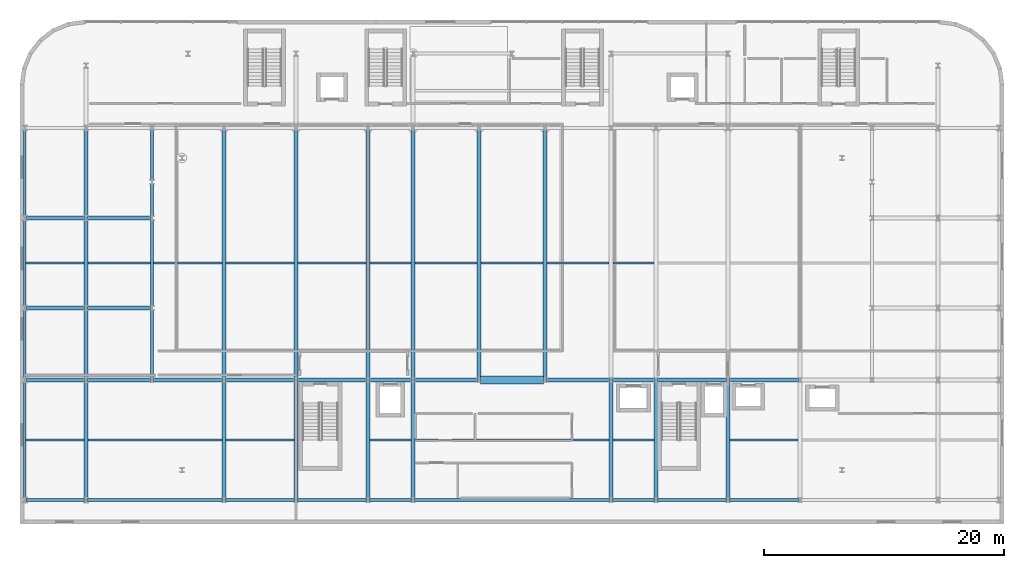
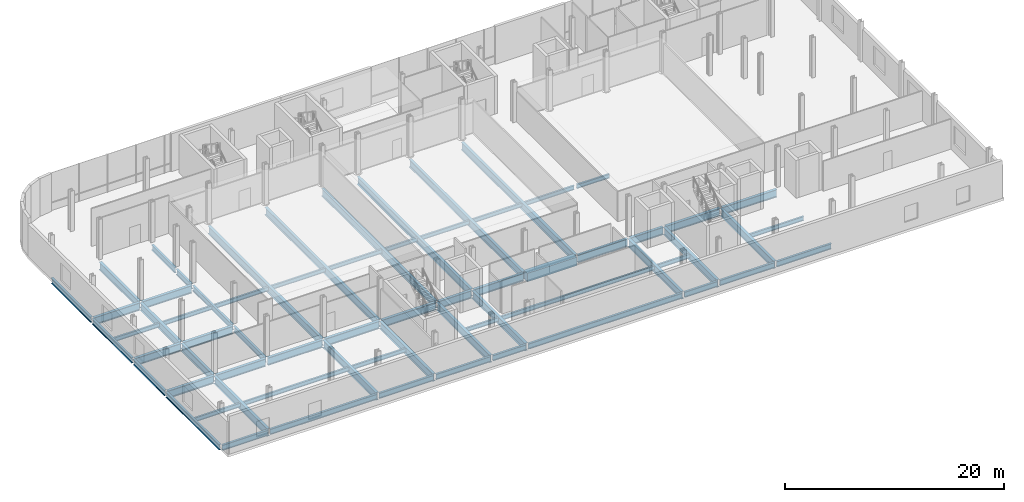
# One storey, part 3 of 25: 67 beams.
"""IFC4 building model written with IfcOpenShell, lengths in metres."""

from ifc_helpers import new_model, si_unit, direction, frame, origin, origin_2d, place, context, subcontext, project, spatial, rectangle, i_section, extrude, material, material_profile, profile_set, type_object, element, save


model = new_model("IFC4")

# Units and contexts
model_context = context("Model", 3, precision=1e-05, world=origin(), true_north=direction((0.0, 1.0)))
body_context = subcontext(model_context, "Body", "Model", "MODEL_VIEW")
ifc_project = project(units=[si_unit("LENGTHUNIT", "METRE"), si_unit("AREAUNIT", "SQUARE_METRE"), si_unit("VOLUMEUNIT", "CUBIC_METRE"), si_unit("PLANEANGLEUNIT", "RADIAN"), si_unit("MASSUNIT", "GRAM", prefix="KILO")], contexts=[model_context])

# Site, building, storey
site_placement = place(None, origin())
site = spatial("IfcSite", under=ifc_project, at=site_placement, CompositionType="ELEMENT")
building_placement = place(site_placement, origin())
building = spatial("IfcBuilding", under=site, at=building_placement, Name="Brevholm Reach", CompositionType="ELEMENT")
storey_placement = place(building_placement, frame((0.0, 0.0, 13.5)))
storey = spatial("IfcBuildingStorey", under=building, at=storey_placement, Name="L03", CompositionType="ELEMENT", Elevation=13.5)

# Beams
ifc_material_1 = material(Name="Structural Steel S355J2", Category="steel")
ifc_material_profile_1 = material_profile(ifc_material_1, i_section(OverallWidth=0.1904296875, OverallDepth=0.45703125, WebThickness=0.009033203125, FlangeThickness=0.014404296875, FilletRadius=0.01025390625, at=origin_2d()), Name="UKB 457x191x74")
ifc_profile_set_1 = profile_set([ifc_material_profile_1], Name="Structural Steel S355J2")
beam_type_1 = type_object("IfcBeamType", Name="BM-B457", PredefinedType="BEAM", material=ifc_profile_set_1)
beam_1_placement = place(storey_placement, frame((-10.485595703125, 5.0, -0.508544921875), z_axis=(1.0, 0.0, 0.0), x_axis=(0.0, 1.0, 0.0)))
element("IfcBeam", 1, at=beam_1_placement, inside=storey, type_object=beam_type_1, Name="L03 Composite Secondary Floor Beam", PredefinedType="BEAM", context=body_context, shape_type="SweptSolid", body=[
    extrude(i_section(OverallWidth=0.1904296875, OverallDepth=0.45703125, WebThickness=0.009033203125, FlangeThickness=0.014404296875, FilletRadius=0.01025390625, at=origin_2d()), origin(), (0.0, 0.0, 1.0), 4.838623046875),
])
beam_2_placement = place(storey_placement, frame((-5.35302734375, 5.0, -0.508544921875), z_axis=(1.0, 0.0, 0.0), x_axis=(0.0, 1.0, 0.0)))
element("IfcBeam", 2, at=beam_2_placement, inside=storey, type_object=beam_type_1, Name="L03 Composite Secondary Floor Beam", PredefinedType="BEAM", context=body_context, shape_type="SweptSolid", body=[
    extrude(i_section(OverallWidth=0.1904296875, OverallDepth=0.45703125, WebThickness=0.009033203125, FlangeThickness=0.014404296875, FilletRadius=0.01025390625, at=origin_2d()), origin(), (0.0, 0.0, 1.0), 11.2060546875),
])
beam_3_placement = place(storey_placement, frame((6.14697265625, 5.0, -0.508544921875), z_axis=(1.0, 0.0, 0.0), x_axis=(0.0, 1.0, 0.0)))
element("IfcBeam", 3, at=beam_3_placement, inside=storey, type_object=beam_type_1, Name="L03 Composite Secondary Floor Beam", PredefinedType="BEAM", context=body_context, shape_type="SweptSolid", body=[
    extrude(i_section(OverallWidth=0.1904296875, OverallDepth=0.45703125, WebThickness=0.009033203125, FlangeThickness=0.014404296875, FilletRadius=0.01025390625, at=origin_2d()), origin(), (0.0, 0.0, 1.0), 5.7060546875),
])
beam_4_placement = place(storey_placement, frame((18.14697265625, 5.0, -0.508544921875), z_axis=(1.0, 0.0, 0.0), x_axis=(0.0, 1.0, 0.0)))
element("IfcBeam", 4, at=beam_4_placement, inside=storey, type_object=beam_type_1, Name="L03 Composite Secondary Floor Beam", PredefinedType="BEAM", context=body_context, shape_type="SweptSolid", body=[
    extrude(i_section(OverallWidth=0.1904296875, OverallDepth=0.45703125, WebThickness=0.009033203125, FlangeThickness=0.014404296875, FilletRadius=0.01025390625, at=origin_2d()), origin(), (0.0, 0.0, 1.0), 3.4560546875),
])
beam_5_placement = place(storey_placement, frame((21.89697265625, 5.0, -0.508544921875), z_axis=(1.0, 0.0, 0.0), x_axis=(0.0, 1.0, 0.0)))
element("IfcBeam", 5, at=beam_5_placement, inside=storey, type_object=beam_type_1, Name="L03 Composite Secondary Floor Beam", PredefinedType="BEAM", context=body_context, shape_type="SweptSolid", body=[
    extrude(i_section(OverallWidth=0.1904296875, OverallDepth=0.45703125, WebThickness=0.009033203125, FlangeThickness=0.014404296875, FilletRadius=0.01025390625, at=origin_2d()), origin(), (0.0, 0.0, 1.0), 16.2060546875),
])
beam_6_placement = place(storey_placement, frame((38.39697265625, 5.0, -0.508544921875), z_axis=(1.0, 0.0, 0.0), x_axis=(0.0, 1.0, 0.0)))
element("IfcBeam", 6, at=beam_6_placement, inside=storey, type_object=beam_type_1, Name="L03 Composite Secondary Floor Beam", PredefinedType="BEAM", context=body_context, shape_type="SweptSolid", body=[
    extrude(i_section(OverallWidth=0.1904296875, OverallDepth=0.45703125, WebThickness=0.009033203125, FlangeThickness=0.014404296875, FilletRadius=0.01025390625, at=origin_2d()), origin(), (0.0, 0.0, 1.0), 3.4560546875),
])
beam_7_placement = place(storey_placement, frame((48.14697265625, 5.0, -0.508544921875), z_axis=(1.0, 0.0, 0.0), x_axis=(0.0, 1.0, 0.0)))
element("IfcBeam", 7, at=beam_7_placement, inside=storey, type_object=beam_type_1, Name="L03 Composite Secondary Floor Beam", PredefinedType="BEAM", context=body_context, shape_type="SweptSolid", body=[
    extrude(i_section(OverallWidth=0.1904296875, OverallDepth=0.45703125, WebThickness=0.009033203125, FlangeThickness=0.014404296875, FilletRadius=0.01025390625, at=origin_2d()), origin(), (0.0, 0.0, 1.0), 5.7060546875),
])
beam_8_placement = place(storey_placement, frame((-10.485595703125, 19.75, -0.508544921875), z_axis=(1.0, 0.0, 0.0), x_axis=(0.0, 1.0, 0.0)))
element("IfcBeam", 8, at=beam_8_placement, inside=storey, type_object=beam_type_1, Name="L03 Composite Secondary Floor Beam", PredefinedType="BEAM", context=body_context, shape_type="SweptSolid", body=[
    extrude(i_section(OverallWidth=0.1904296875, OverallDepth=0.45703125, WebThickness=0.009033203125, FlangeThickness=0.014404296875, FilletRadius=0.01025390625, at=origin_2d()), origin(), (0.0, 0.0, 1.0), 4.838623046875),
])
beam_9_placement = place(storey_placement, frame((-5.35302734375, 19.75, -0.508544921875), z_axis=(1.0, 0.0, 0.0), x_axis=(0.0, 1.0, 0.0)))
element("IfcBeam", 9, at=beam_9_placement, inside=storey, type_object=beam_type_1, Name="L03 Composite Secondary Floor Beam", PredefinedType="BEAM", context=body_context, shape_type="SweptSolid", body=[
    extrude(i_section(OverallWidth=0.1904296875, OverallDepth=0.45703125, WebThickness=0.009033203125, FlangeThickness=0.014404296875, FilletRadius=0.01025390625, at=origin_2d()), origin(), (0.0, 0.0, 1.0), 5.238525390625),
])
beam_10_placement = place(storey_placement, frame((0.114501953125, 19.75, -0.508544921875), z_axis=(1.0, 0.0, 0.0), x_axis=(0.0, 1.0, 0.0)))
element("IfcBeam", 10, at=beam_10_placement, inside=storey, type_object=beam_type_1, Name="L03 Composite Secondary Floor Beam", PredefinedType="BEAM", context=body_context, shape_type="SweptSolid", body=[
    extrude(i_section(OverallWidth=0.1904296875, OverallDepth=0.45703125, WebThickness=0.009033203125, FlangeThickness=0.014404296875, FilletRadius=0.01025390625, at=origin_2d()), origin(), (0.0, 0.0, 1.0), 5.738525390625),
])
for number, where, z_axis, x_axis, name in (
    (11, (6.14697265625, 19.75, -0.508544921875), (1.0, 0.0, 0.0), (0.0, 1.0, 0.0), "L03 Composite Secondary Floor Beam"),
    (12, (12.14697265625, 19.75, -0.508544921875), (1.0, 0.0, 0.0), (0.0, 1.0, 0.0), "L03 Composite Secondary Floor Beam"),
):
    element("IfcBeam", number, at=place(storey_placement, frame(where, z_axis=z_axis, x_axis=x_axis)), inside=storey, type_object=beam_type_1, Name=name, PredefinedType="BEAM", context=body_context, shape_type="SweptSolid", body=[
        extrude(i_section(OverallWidth=0.1904296875, OverallDepth=0.45703125, WebThickness=0.009033203125, FlangeThickness=0.014404296875, FilletRadius=0.01025390625, at=origin_2d()), origin(), (0.0, 0.0, 1.0), 5.7060546875),
    ])
beam_11_placement = place(storey_placement, frame((18.14697265625, 19.75, -0.508544921875), z_axis=(1.0, 0.0, 0.0), x_axis=(0.0, 1.0, 0.0)))
element("IfcBeam", 13, at=beam_11_placement, inside=storey, type_object=beam_type_1, Name="L03 Composite Secondary Floor Beam", PredefinedType="BEAM", context=body_context, shape_type="SweptSolid", body=[
    extrude(i_section(OverallWidth=0.1904296875, OverallDepth=0.45703125, WebThickness=0.009033203125, FlangeThickness=0.014404296875, FilletRadius=0.01025390625, at=origin_2d()), origin(), (0.0, 0.0, 1.0), 3.4560546875),
])
for number, where, z_axis, x_axis, name in (
    (14, (21.89697265625, 19.75, -0.508544921875), (1.0, 0.0, 0.0), (0.0, 1.0, 0.0), "L03 Composite Secondary Floor Beam"),
    (15, (27.39697265625, 19.75, -0.508544921875), (1.0, 0.0, 0.0), (0.0, 1.0, 0.0), "L03 Composite Secondary Floor Beam"),
    (16, (32.89697265625, 19.75, -0.508544921875), (1.0, 0.0, 0.0), (0.0, 1.0, 0.0), "L03 Composite Secondary Floor Beam"),
):
    element("IfcBeam", number, at=place(storey_placement, frame(where, z_axis=z_axis, x_axis=x_axis)), inside=storey, type_object=beam_type_1, Name=name, PredefinedType="BEAM", context=body_context, shape_type="SweptSolid", body=[
        extrude(i_section(OverallWidth=0.1904296875, OverallDepth=0.45703125, WebThickness=0.009033203125, FlangeThickness=0.014404296875, FilletRadius=0.01025390625, at=origin_2d()), origin(), (0.0, 0.0, 1.0), 5.2060546875),
    ])
beam_12_placement = place(storey_placement, frame((38.39697265625, 19.75, -0.508544921875), z_axis=(1.0, 0.0, 0.0), x_axis=(0.0, 1.0, 0.0)))
element("IfcBeam", 17, at=beam_12_placement, inside=storey, type_object=beam_type_1, Name="L03 Composite Secondary Floor Beam", PredefinedType="BEAM", context=body_context, shape_type="SweptSolid", body=[
    extrude(i_section(OverallWidth=0.1904296875, OverallDepth=0.45703125, WebThickness=0.009033203125, FlangeThickness=0.014404296875, FilletRadius=0.01025390625, at=origin_2d()), origin(), (0.0, 0.0, 1.0), 3.4560546875),
])
ifc_material_2 = material(Name="Concrete C60/75", Category="concrete")
ifc_material_profile_2 = material_profile(ifc_material_2, rectangle(XDim=0.64990234375, YDim=0.949951171875, at=origin_2d()), Name="RC 650x950")
ifc_profile_set_2 = profile_set([ifc_material_profile_2], Name="Concrete C60/75")
beam_type_2 = type_object("IfcBeamType", Name="BM-CB650", PredefinedType="LINTEL", material=ifc_profile_set_2)
beam_13_placement = place(storey_placement, frame((27.3701171875, 10.0, -0.7548828125), z_axis=(1.0, 0.0, 0.0), x_axis=(0.0, 1.0, 0.0)))
element("IfcBeam", 18, at=beam_13_placement, inside=storey, type_object=beam_type_2, Name="L03 CB-01 Framing Beam", PredefinedType="LINTEL", context=body_context, shape_type="SweptSolid", body=[
    extrude(rectangle(XDim=0.64990234375, YDim=0.949951171875, at=origin_2d()), origin(), (0.0, 0.0, 1.0), 5.259765625),
])
ifc_material_3 = material(Name="Structural Steel S355J2", Category="steel")
ifc_material_profile_3 = material_profile(ifc_material_3, i_section(OverallWidth=0.22900390625, OverallDepth=0.6123046875, WebThickness=0.011962890625, FlangeThickness=0.01953125, FilletRadius=0.0126953125, at=origin_2d()), Name="UKB 610x229x125")
ifc_profile_set_3 = profile_set([ifc_material_profile_3], Name="Structural Steel S355J2")
beam_type_3 = type_object("IfcBeamType", Name="BM-SP610", PredefinedType="SPANDREL", material=ifc_profile_set_3)
beam_14_placement = place(storey_placement, frame((-10.47998046875, 0.0, -0.586181640625), z_axis=(1.0, 0.0, 0.0), x_axis=(0.0, 1.0, 0.0)))
element("IfcBeam", 19, at=beam_14_placement, inside=storey, type_object=beam_type_3, Name="L03 SP-01 Framing Beam", PredefinedType="SPANDREL", context=body_context, shape_type="SweptSolid", body=[
    extrude(i_section(OverallWidth=0.22900390625, OverallDepth=0.6123046875, WebThickness=0.011962890625, FlangeThickness=0.01953125, FilletRadius=0.0126953125, at=origin_2d()), origin(), (0.0, 0.0, 1.0), 4.85986328125),
])
beam_15_placement = place(storey_placement, frame((-5.3798828125, 0.0, -0.586181640625), z_axis=(1.0, 0.0, 0.0), x_axis=(0.0, 1.0, 0.0)))
element("IfcBeam", 20, at=beam_15_placement, inside=storey, type_object=beam_type_3, Name="L03 SP-01 Framing Beam", PredefinedType="SPANDREL", context=body_context, shape_type="SweptSolid", body=[
    extrude(i_section(OverallWidth=0.22900390625, OverallDepth=0.6123046875, WebThickness=0.011962890625, FlangeThickness=0.01953125, FilletRadius=0.0126953125, at=origin_2d()), origin(), (0.0, 0.0, 1.0), 11.259765625),
])
for number, where, z_axis, x_axis, name in (
    (21, (6.1201171875, 0.0, -0.586181640625), (1.0, 0.0, 0.0), (0.0, 1.0, 0.0), "L03 SP-01 Framing Beam"),
    (22, (12.1201171875, 0.0, -0.586181640625), (1.0, 0.0, 0.0), (0.0, 1.0, 0.0), "L03 SP-01 Framing Beam"),
):
    element("IfcBeam", number, at=place(storey_placement, frame(where, z_axis=z_axis, x_axis=x_axis)), inside=storey, type_object=beam_type_3, Name=name, PredefinedType="SPANDREL", context=body_context, shape_type="SweptSolid", body=[
        extrude(i_section(OverallWidth=0.22900390625, OverallDepth=0.6123046875, WebThickness=0.011962890625, FlangeThickness=0.01953125, FilletRadius=0.0126953125, at=origin_2d()), origin(), (0.0, 0.0, 1.0), 5.759765625),
    ])
beam_16_placement = place(storey_placement, frame((18.1201171875, 0.0, -0.586181640625), z_axis=(1.0, 0.0, 0.0), x_axis=(0.0, 1.0, 0.0)))
element("IfcBeam", 23, at=beam_16_placement, inside=storey, type_object=beam_type_3, Name="L03 SP-01 Framing Beam", PredefinedType="SPANDREL", context=body_context, shape_type="SweptSolid", body=[
    extrude(i_section(OverallWidth=0.22900390625, OverallDepth=0.6123046875, WebThickness=0.011962890625, FlangeThickness=0.01953125, FilletRadius=0.0126953125, at=origin_2d()), origin(), (0.0, 0.0, 1.0), 3.509765625),
])
beam_17_placement = place(storey_placement, frame((21.8701171875, 0.0, -0.586181640625), z_axis=(1.0, 0.0, 0.0), x_axis=(0.0, 1.0, 0.0)))
element("IfcBeam", 24, at=beam_17_placement, inside=storey, type_object=beam_type_3, Name="L03 SP-01 Framing Beam", PredefinedType="SPANDREL", context=body_context, shape_type="SweptSolid", body=[
    extrude(i_section(OverallWidth=0.22900390625, OverallDepth=0.6123046875, WebThickness=0.011962890625, FlangeThickness=0.01953125, FilletRadius=0.0126953125, at=origin_2d()), origin(), (0.0, 0.0, 1.0), 16.259765625),
])
beam_18_placement = place(storey_placement, frame((38.3701171875, 0.0, -0.586181640625), z_axis=(1.0, 0.0, 0.0), x_axis=(0.0, 1.0, 0.0)))
element("IfcBeam", 25, at=beam_18_placement, inside=storey, type_object=beam_type_3, Name="L03 SP-01 Framing Beam", PredefinedType="SPANDREL", context=body_context, shape_type="SweptSolid", body=[
    extrude(i_section(OverallWidth=0.22900390625, OverallDepth=0.6123046875, WebThickness=0.011962890625, FlangeThickness=0.01953125, FilletRadius=0.0126953125, at=origin_2d()), origin(), (0.0, 0.0, 1.0), 3.509765625),
])
for number, where, z_axis, x_axis, name in (
    (26, (42.1201171875, 0.0, -0.586181640625), (1.0, 0.0, 0.0), (0.0, 1.0, 0.0), "L03 SP-01 Framing Beam"),
    (27, (48.1201171875, 0.0, -0.586181640625), (1.0, 0.0, 0.0), (0.0, 1.0, 0.0), "L03 SP-01 Framing Beam"),
):
    element("IfcBeam", number, at=place(storey_placement, frame(where, z_axis=z_axis, x_axis=x_axis)), inside=storey, type_object=beam_type_3, Name=name, PredefinedType="SPANDREL", context=body_context, shape_type="SweptSolid", body=[
        extrude(i_section(OverallWidth=0.22900390625, OverallDepth=0.6123046875, WebThickness=0.011962890625, FlangeThickness=0.01953125, FilletRadius=0.0126953125, at=origin_2d()), origin(), (0.0, 0.0, 1.0), 5.759765625),
    ])
beam_19_placement = place(storey_placement, frame((-10.60009765625, 0.1201171875, -0.586181640625), z_axis=(0.0, 1.0, 0.0), x_axis=(-1.0, 0.0, 0.0)))
element("IfcBeam", 28, at=beam_19_placement, inside=storey, type_object=beam_type_3, Name="L03 SP-01 Framing Beam", PredefinedType="SPANDREL", context=body_context, shape_type="SweptSolid", body=[
    extrude(i_section(OverallWidth=0.22900390625, OverallDepth=0.6123046875, WebThickness=0.011962890625, FlangeThickness=0.01953125, FilletRadius=0.0126953125, at=origin_2d()), origin(), (0.0, 0.0, 1.0), 9.759765625),
])
beam_20_placement = place(storey_placement, frame((-10.60009765625, 10.1201171875, -0.586181640625), z_axis=(0.0, 1.0, 0.0), x_axis=(-1.0, 0.0, 0.0)))
element("IfcBeam", 29, at=beam_20_placement, inside=storey, type_object=beam_type_3, Name="L03 SP-01 Framing Beam", PredefinedType="SPANDREL", context=body_context, shape_type="SweptSolid", body=[
    extrude(i_section(OverallWidth=0.22900390625, OverallDepth=0.6123046875, WebThickness=0.011962890625, FlangeThickness=0.01953125, FilletRadius=0.0126953125, at=origin_2d()), origin(), (0.0, 0.0, 1.0), 5.759765625),
])
for number, where, z_axis, x_axis, name in (
    (30, (-10.60009765625, 16.1201171875, -0.586181640625), (0.0, 1.0, 0.0), (-1.0, 0.0, 0.0), "L03 SP-01 Framing Beam"),
    (31, (-10.60009765625, 23.6201171875, -0.586181640625), (0.0, 1.0, 0.0), (-1.0, 0.0, 0.0), "L03 SP-01 Framing Beam"),
):
    element("IfcBeam", number, at=place(storey_placement, frame(where, z_axis=z_axis, x_axis=x_axis)), inside=storey, type_object=beam_type_3, Name=name, PredefinedType="SPANDREL", context=body_context, shape_type="SweptSolid", body=[
        extrude(i_section(OverallWidth=0.22900390625, OverallDepth=0.6123046875, WebThickness=0.011962890625, FlangeThickness=0.01953125, FilletRadius=0.0126953125, at=origin_2d()), origin(), (0.0, 0.0, 1.0), 7.259765625),
    ])
beam_21_placement = place(storey_placement, frame((0.0, 10.1201171875, -0.586181640625), z_axis=(0.0, 1.0, 0.0), x_axis=(-1.0, 0.0, 0.0)))
element("IfcBeam", 32, at=beam_21_placement, inside=storey, type_object=beam_type_3, Name="L03 SP-01 Framing Beam", PredefinedType="SPANDREL", context=body_context, shape_type="SweptSolid", body=[
    extrude(i_section(OverallWidth=0.22900390625, OverallDepth=0.6123046875, WebThickness=0.011962890625, FlangeThickness=0.01953125, FilletRadius=0.0126953125, at=origin_2d()), origin(), (0.0, 0.0, 1.0), 5.759765625),
])
beam_22_placement = place(storey_placement, frame((0.0, 16.1201171875, -0.586181640625), z_axis=(0.0, 1.0, 0.0), x_axis=(-1.0, 0.0, 0.0)))
element("IfcBeam", 33, at=beam_22_placement, inside=storey, type_object=beam_type_3, Name="L03 SP-01 Framing Beam", PredefinedType="SPANDREL", context=body_context, shape_type="SweptSolid", body=[
    extrude(i_section(OverallWidth=0.22900390625, OverallDepth=0.6123046875, WebThickness=0.011962890625, FlangeThickness=0.01953125, FilletRadius=0.0126953125, at=origin_2d()), origin(), (0.0, 0.0, 1.0), 7.259765625),
])
beam_23_placement = place(storey_placement, frame((0.0, 23.6201171875, -0.586181640625), z_axis=(0.0, 1.0, 0.0), x_axis=(-1.0, 0.0, 0.0)))
element("IfcBeam", 34, at=beam_23_placement, inside=storey, type_object=beam_type_3, Name="L03 SP-01 Framing Beam", PredefinedType="SPANDREL", context=body_context, shape_type="SweptSolid", body=[
    extrude(i_section(OverallWidth=0.22900390625, OverallDepth=0.6123046875, WebThickness=0.011962890625, FlangeThickness=0.01953125, FilletRadius=0.0126953125, at=origin_2d()), origin(), (0.0, 0.0, 1.0), 2.759765625),
])
beam_24_placement = place(storey_placement, frame((0.0, 26.6201171875, -0.586181640625), z_axis=(0.0, 1.0, 0.0), x_axis=(-1.0, 0.0, 0.0)))
element("IfcBeam", 35, at=beam_24_placement, inside=storey, type_object=beam_type_3, Name="L03 SP-01 Framing Beam", PredefinedType="SPANDREL", context=body_context, shape_type="SweptSolid", body=[
    extrude(i_section(OverallWidth=0.22900390625, OverallDepth=0.6123046875, WebThickness=0.011962890625, FlangeThickness=0.01953125, FilletRadius=0.0126953125, at=origin_2d()), origin(), (0.0, 0.0, 1.0), 4.259765625),
])
ifc_material_4 = material(Name="Structural Steel S355J2", Category="steel")
ifc_material_profile_4 = material_profile(ifc_material_4, i_section(OverallWidth=0.293701171875, OverallDepth=0.850830078125, WebThickness=0.01611328125, FlangeThickness=0.02685546875, FilletRadius=0.017822265625, at=origin_2d()), Name="UKB 838x292x226")
ifc_profile_set_4 = profile_set([ifc_material_profile_4], Name="Structural Steel S355J2")
beam_type_4 = type_object("IfcBeamType", Name="BM-UKB838", PredefinedType="USERDEFINED", material=ifc_profile_set_4)
beam_25_placement = place(storey_placement, frame((-10.47998046875, 10.0, -0.70556640625), z_axis=(1.0, 0.0, 0.0), x_axis=(0.0, 1.0, 0.0)))
element("IfcBeam", 36, at=beam_25_placement, inside=storey, type_object=beam_type_4, Name="L03 G-03 Framing Beam", ObjectType="GIRDER", PredefinedType="USERDEFINED", context=body_context, shape_type="SweptSolid", body=[
    extrude(i_section(OverallWidth=0.293701171875, OverallDepth=0.850830078125, WebThickness=0.01611328125, FlangeThickness=0.02685546875, FilletRadius=0.017822265625, at=origin_2d()), origin(), (0.0, 0.0, 1.0), 4.85986328125),
])
beam_26_placement = place(storey_placement, frame((-5.3798828125, 10.0, -0.70556640625), z_axis=(1.0, 0.0, 0.0), x_axis=(0.0, 1.0, 0.0)))
element("IfcBeam", 37, at=beam_26_placement, inside=storey, type_object=beam_type_4, Name="L03 G-03 Framing Beam", ObjectType="GIRDER", PredefinedType="USERDEFINED", context=body_context, shape_type="SweptSolid", body=[
    extrude(i_section(OverallWidth=0.293701171875, OverallDepth=0.850830078125, WebThickness=0.01611328125, FlangeThickness=0.02685546875, FilletRadius=0.017822265625, at=origin_2d()), origin(), (0.0, 0.0, 1.0), 5.259765625),
])
for number, where, z_axis, x_axis, name in (
    (38, (0.1201171875, 10.0, -0.70556640625), (1.0, 0.0, 0.0), (0.0, 1.0, 0.0), "L03 G-03 Framing Beam"),
    (39, (6.1201171875, 10.0, -0.70556640625), (1.0, 0.0, 0.0), (0.0, 1.0, 0.0), "L03 G-03 Framing Beam"),
    (40, (12.1201171875, 10.0, -0.70556640625), (1.0, 0.0, 0.0), (0.0, 1.0, 0.0), "L03 G-03 Framing Beam"),
):
    element("IfcBeam", number, at=place(storey_placement, frame(where, z_axis=z_axis, x_axis=x_axis)), inside=storey, type_object=beam_type_4, Name=name, ObjectType="GIRDER", PredefinedType="USERDEFINED", context=body_context, shape_type="SweptSolid", body=[
        extrude(i_section(OverallWidth=0.293701171875, OverallDepth=0.850830078125, WebThickness=0.01611328125, FlangeThickness=0.02685546875, FilletRadius=0.017822265625, at=origin_2d()), origin(), (0.0, 0.0, 1.0), 5.759765625),
    ])
beam_27_placement = place(storey_placement, frame((18.1201171875, 10.0, -0.70556640625), z_axis=(1.0, 0.0, 0.0), x_axis=(0.0, 1.0, 0.0)))
element("IfcBeam", 41, at=beam_27_placement, inside=storey, type_object=beam_type_4, Name="L03 G-03 Framing Beam", ObjectType="GIRDER", PredefinedType="USERDEFINED", context=body_context, shape_type="SweptSolid", body=[
    extrude(i_section(OverallWidth=0.293701171875, OverallDepth=0.850830078125, WebThickness=0.01611328125, FlangeThickness=0.02685546875, FilletRadius=0.017822265625, at=origin_2d()), origin(), (0.0, 0.0, 1.0), 3.509765625),
])
for number, where, z_axis, x_axis, name in (
    (42, (21.8701171875, 10.0, -0.70556640625), (1.0, 0.0, 0.0), (0.0, 1.0, 0.0), "L03 G-03 Framing Beam"),
    (43, (32.8701171875, 10.0, -0.70556640625), (1.0, 0.0, 0.0), (0.0, 1.0, 0.0), "L03 G-03 Framing Beam"),
):
    element("IfcBeam", number, at=place(storey_placement, frame(where, z_axis=z_axis, x_axis=x_axis)), inside=storey, type_object=beam_type_4, Name=name, ObjectType="GIRDER", PredefinedType="USERDEFINED", context=body_context, shape_type="SweptSolid", body=[
        extrude(i_section(OverallWidth=0.293701171875, OverallDepth=0.850830078125, WebThickness=0.01611328125, FlangeThickness=0.02685546875, FilletRadius=0.017822265625, at=origin_2d()), origin(), (0.0, 0.0, 1.0), 5.259765625),
    ])
beam_28_placement = place(storey_placement, frame((38.3701171875, 10.0, -0.70556640625), z_axis=(1.0, 0.0, 0.0), x_axis=(0.0, 1.0, 0.0)))
element("IfcBeam", 44, at=beam_28_placement, inside=storey, type_object=beam_type_4, Name="L03 G-03 Framing Beam", ObjectType="GIRDER", PredefinedType="USERDEFINED", context=body_context, shape_type="SweptSolid", body=[
    extrude(i_section(OverallWidth=0.293701171875, OverallDepth=0.850830078125, WebThickness=0.01611328125, FlangeThickness=0.02685546875, FilletRadius=0.017822265625, at=origin_2d()), origin(), (0.0, 0.0, 1.0), 3.509765625),
])
for number, where, z_axis, x_axis, name in (
    (45, (42.1201171875, 10.0, -0.70556640625), (1.0, 0.0, 0.0), (0.0, 1.0, 0.0), "L03 G-03 Framing Beam"),
    (46, (48.1201171875, 10.0, -0.70556640625), (1.0, 0.0, 0.0), (0.0, 1.0, 0.0), "L03 G-03 Framing Beam"),
):
    element("IfcBeam", number, at=place(storey_placement, frame(where, z_axis=z_axis, x_axis=x_axis)), inside=storey, type_object=beam_type_4, Name=name, ObjectType="GIRDER", PredefinedType="USERDEFINED", context=body_context, shape_type="SweptSolid", body=[
        extrude(i_section(OverallWidth=0.293701171875, OverallDepth=0.850830078125, WebThickness=0.01611328125, FlangeThickness=0.02685546875, FilletRadius=0.017822265625, at=origin_2d()), origin(), (0.0, 0.0, 1.0), 5.759765625),
    ])
beam_29_placement = place(storey_placement, frame((-10.47998046875, 16.0, -0.70556640625), z_axis=(1.0, 0.0, 0.0), x_axis=(0.0, 1.0, 0.0)))
element("IfcBeam", 47, at=beam_29_placement, inside=storey, type_object=beam_type_4, Name="L03 G-03 Framing Beam", ObjectType="GIRDER", PredefinedType="USERDEFINED", context=body_context, shape_type="SweptSolid", body=[
    extrude(i_section(OverallWidth=0.293701171875, OverallDepth=0.850830078125, WebThickness=0.01611328125, FlangeThickness=0.02685546875, FilletRadius=0.017822265625, at=origin_2d()), origin(), (0.0, 0.0, 1.0), 4.85986328125),
])
beam_30_placement = place(storey_placement, frame((-5.3798828125, 16.0, -0.70556640625), z_axis=(1.0, 0.0, 0.0), x_axis=(0.0, 1.0, 0.0)))
element("IfcBeam", 48, at=beam_30_placement, inside=storey, type_object=beam_type_4, Name="L03 G-03 Framing Beam", ObjectType="GIRDER", PredefinedType="USERDEFINED", context=body_context, shape_type="SweptSolid", body=[
    extrude(i_section(OverallWidth=0.293701171875, OverallDepth=0.850830078125, WebThickness=0.01611328125, FlangeThickness=0.02685546875, FilletRadius=0.017822265625, at=origin_2d()), origin(), (0.0, 0.0, 1.0), 5.259765625),
])
beam_31_placement = place(storey_placement, frame((-10.47998046875, 23.5, -0.70556640625), z_axis=(1.0, 0.0, 0.0), x_axis=(0.0, 1.0, 0.0)))
element("IfcBeam", 49, at=beam_31_placement, inside=storey, type_object=beam_type_4, Name="L03 G-03 Framing Beam", ObjectType="GIRDER", PredefinedType="USERDEFINED", context=body_context, shape_type="SweptSolid", body=[
    extrude(i_section(OverallWidth=0.293701171875, OverallDepth=0.850830078125, WebThickness=0.01611328125, FlangeThickness=0.02685546875, FilletRadius=0.017822265625, at=origin_2d()), origin(), (0.0, 0.0, 1.0), 4.85986328125),
])
beam_32_placement = place(storey_placement, frame((-5.3798828125, 23.5, -0.70556640625), z_axis=(1.0, 0.0, 0.0), x_axis=(0.0, 1.0, 0.0)))
element("IfcBeam", 50, at=beam_32_placement, inside=storey, type_object=beam_type_4, Name="L03 G-03 Framing Beam", ObjectType="GIRDER", PredefinedType="USERDEFINED", context=body_context, shape_type="SweptSolid", body=[
    extrude(i_section(OverallWidth=0.293701171875, OverallDepth=0.850830078125, WebThickness=0.01611328125, FlangeThickness=0.02685546875, FilletRadius=0.017822265625, at=origin_2d()), origin(), (0.0, 0.0, 1.0), 5.259765625),
])
beam_33_placement = place(storey_placement, frame((-5.5, 0.1201171875, -0.70556640625), z_axis=(0.0, 1.0, 0.0), x_axis=(-1.0, 0.0, 0.0)))
element("IfcBeam", 51, at=beam_33_placement, inside=storey, type_object=beam_type_4, Name="L03 G-03 Framing Beam", ObjectType="GIRDER", PredefinedType="USERDEFINED", context=body_context, shape_type="SweptSolid", body=[
    extrude(i_section(OverallWidth=0.293701171875, OverallDepth=0.850830078125, WebThickness=0.01611328125, FlangeThickness=0.02685546875, FilletRadius=0.017822265625, at=origin_2d()), origin(), (0.0, 0.0, 1.0), 9.759765625),
])
beam_34_placement = place(storey_placement, frame((-5.5, 10.1201171875, -0.70556640625), z_axis=(0.0, 1.0, 0.0), x_axis=(-1.0, 0.0, 0.0)))
element("IfcBeam", 52, at=beam_34_placement, inside=storey, type_object=beam_type_4, Name="L03 G-03 Framing Beam", ObjectType="GIRDER", PredefinedType="USERDEFINED", context=body_context, shape_type="SweptSolid", body=[
    extrude(i_section(OverallWidth=0.293701171875, OverallDepth=0.850830078125, WebThickness=0.01611328125, FlangeThickness=0.02685546875, FilletRadius=0.017822265625, at=origin_2d()), origin(), (0.0, 0.0, 1.0), 5.759765625),
])
for number, where, z_axis, x_axis, name in (
    (53, (-5.5, 16.1201171875, -0.70556640625), (0.0, 1.0, 0.0), (-1.0, 0.0, 0.0), "L03 G-03 Framing Beam"),
    (54, (-5.5, 23.6201171875, -0.70556640625), (0.0, 1.0, 0.0), (-1.0, 0.0, 0.0), "L03 G-03 Framing Beam"),
):
    element("IfcBeam", number, at=place(storey_placement, frame(where, z_axis=z_axis, x_axis=x_axis)), inside=storey, type_object=beam_type_4, Name=name, ObjectType="GIRDER", PredefinedType="USERDEFINED", context=body_context, shape_type="SweptSolid", body=[
        extrude(i_section(OverallWidth=0.293701171875, OverallDepth=0.850830078125, WebThickness=0.01611328125, FlangeThickness=0.02685546875, FilletRadius=0.017822265625, at=origin_2d()), origin(), (0.0, 0.0, 1.0), 7.259765625),
    ])
beam_35_placement = place(storey_placement, frame((6.0, 0.1201171875, -0.70556640625), z_axis=(0.0, 1.0, 0.0), x_axis=(-1.0, 0.0, 0.0)))
element("IfcBeam", 55, at=beam_35_placement, inside=storey, type_object=beam_type_4, Name="L03 G-03 Framing Beam", ObjectType="GIRDER", PredefinedType="USERDEFINED", context=body_context, shape_type="SweptSolid", body=[
    extrude(i_section(OverallWidth=0.293701171875, OverallDepth=0.850830078125, WebThickness=0.01611328125, FlangeThickness=0.02685546875, FilletRadius=0.017822265625, at=origin_2d()), origin(), (0.0, 0.0, 1.0), 9.759765625),
])
beam_36_placement = place(storey_placement, frame((6.0, 10.1201171875, -0.70556640625), z_axis=(0.0, 1.0, 0.0), x_axis=(-1.0, 0.0, 0.0)))
element("IfcBeam", 56, at=beam_36_placement, inside=storey, type_object=beam_type_4, Name="L03 G-03 Framing Beam", ObjectType="GIRDER", PredefinedType="USERDEFINED", context=body_context, shape_type="SweptSolid", body=[
    extrude(i_section(OverallWidth=0.293701171875, OverallDepth=0.850830078125, WebThickness=0.01611328125, FlangeThickness=0.02685546875, FilletRadius=0.017822265625, at=origin_2d()), origin(), (0.0, 0.0, 1.0), 20.759765625),
])
beam_37_placement = place(storey_placement, frame((12.0, 0.1201171875, -0.70556640625), z_axis=(0.0, 1.0, 0.0), x_axis=(-1.0, 0.0, 0.0)))
element("IfcBeam", 57, at=beam_37_placement, inside=storey, type_object=beam_type_4, Name="L03 G-03 Framing Beam", ObjectType="GIRDER", PredefinedType="USERDEFINED", context=body_context, shape_type="SweptSolid", body=[
    extrude(i_section(OverallWidth=0.293701171875, OverallDepth=0.850830078125, WebThickness=0.01611328125, FlangeThickness=0.02685546875, FilletRadius=0.017822265625, at=origin_2d()), origin(), (0.0, 0.0, 1.0), 9.759765625),
])
beam_38_placement = place(storey_placement, frame((12.0, 10.1201171875, -0.70556640625), z_axis=(0.0, 1.0, 0.0), x_axis=(-1.0, 0.0, 0.0)))
element("IfcBeam", 58, at=beam_38_placement, inside=storey, type_object=beam_type_4, Name="L03 G-03 Framing Beam", ObjectType="GIRDER", PredefinedType="USERDEFINED", context=body_context, shape_type="SweptSolid", body=[
    extrude(i_section(OverallWidth=0.293701171875, OverallDepth=0.850830078125, WebThickness=0.01611328125, FlangeThickness=0.02685546875, FilletRadius=0.017822265625, at=origin_2d()), origin(), (0.0, 0.0, 1.0), 20.759765625),
])
beam_39_placement = place(storey_placement, frame((18.0, 0.1201171875, -0.70556640625), z_axis=(0.0, 1.0, 0.0), x_axis=(-1.0, 0.0, 0.0)))
element("IfcBeam", 59, at=beam_39_placement, inside=storey, type_object=beam_type_4, Name="L03 G-03 Framing Beam", ObjectType="GIRDER", PredefinedType="USERDEFINED", context=body_context, shape_type="SweptSolid", body=[
    extrude(i_section(OverallWidth=0.293701171875, OverallDepth=0.850830078125, WebThickness=0.01611328125, FlangeThickness=0.02685546875, FilletRadius=0.017822265625, at=origin_2d()), origin(), (0.0, 0.0, 1.0), 9.759765625),
])
beam_40_placement = place(storey_placement, frame((18.0, 10.1201171875, -0.70556640625), z_axis=(0.0, 1.0, 0.0), x_axis=(-1.0, 0.0, 0.0)))
element("IfcBeam", 60, at=beam_40_placement, inside=storey, type_object=beam_type_4, Name="L03 G-03 Framing Beam", ObjectType="GIRDER", PredefinedType="USERDEFINED", context=body_context, shape_type="SweptSolid", body=[
    extrude(i_section(OverallWidth=0.293701171875, OverallDepth=0.850830078125, WebThickness=0.01611328125, FlangeThickness=0.02685546875, FilletRadius=0.017822265625, at=origin_2d()), origin(), (0.0, 0.0, 1.0), 20.759765625),
])
beam_41_placement = place(storey_placement, frame((21.75, 0.1201171875, -0.70556640625), z_axis=(0.0, 1.0, 0.0), x_axis=(-1.0, 0.0, 0.0)))
element("IfcBeam", 61, at=beam_41_placement, inside=storey, type_object=beam_type_4, Name="L03 G-03 Framing Beam", ObjectType="GIRDER", PredefinedType="USERDEFINED", context=body_context, shape_type="SweptSolid", body=[
    extrude(i_section(OverallWidth=0.293701171875, OverallDepth=0.850830078125, WebThickness=0.01611328125, FlangeThickness=0.02685546875, FilletRadius=0.017822265625, at=origin_2d()), origin(), (0.0, 0.0, 1.0), 9.759765625),
])
for number, where, z_axis, x_axis, name in (
    (62, (21.75, 10.1201171875, -0.70556640625), (0.0, 1.0, 0.0), (-1.0, 0.0, 0.0), "L03 G-03 Framing Beam"),
    (63, (27.25, 10.1201171875, -0.70556640625), (0.0, 1.0, 0.0), (-1.0, 0.0, 0.0), "L03 G-03 Framing Beam"),
    (64, (32.75, 10.1201171875, -0.70556640625), (0.0, 1.0, 0.0), (-1.0, 0.0, 0.0), "L03 G-03 Framing Beam"),
):
    element("IfcBeam", number, at=place(storey_placement, frame(where, z_axis=z_axis, x_axis=x_axis)), inside=storey, type_object=beam_type_4, Name=name, ObjectType="GIRDER", PredefinedType="USERDEFINED", context=body_context, shape_type="SweptSolid", body=[
        extrude(i_section(OverallWidth=0.293701171875, OverallDepth=0.850830078125, WebThickness=0.01611328125, FlangeThickness=0.02685546875, FilletRadius=0.017822265625, at=origin_2d()), origin(), (0.0, 0.0, 1.0), 20.759765625),
    ])
for number, where, z_axis, x_axis, name in (
    (65, (38.25, 0.1201171875, -0.70556640625), (0.0, 1.0, 0.0), (-1.0, 0.0, 0.0), "L03 G-03 Framing Beam"),
    (66, (42.0, 0.1201171875, -0.70556640625), (0.0, 1.0, 0.0), (-1.0, 0.0, 0.0), "L03 G-03 Framing Beam"),
    (67, (48.0, 0.1201171875, -0.70556640625), (0.0, 1.0, 0.0), (-1.0, 0.0, 0.0), "L03 G-03 Framing Beam"),
):
    element("IfcBeam", number, at=place(storey_placement, frame(where, z_axis=z_axis, x_axis=x_axis)), inside=storey, type_object=beam_type_4, Name=name, ObjectType="GIRDER", PredefinedType="USERDEFINED", context=body_context, shape_type="SweptSolid", body=[
        extrude(i_section(OverallWidth=0.293701171875, OverallDepth=0.850830078125, WebThickness=0.01611328125, FlangeThickness=0.02685546875, FilletRadius=0.017822265625, at=origin_2d()), origin(), (0.0, 0.0, 1.0), 9.759765625),
    ])

save(model, "model.ifc")
